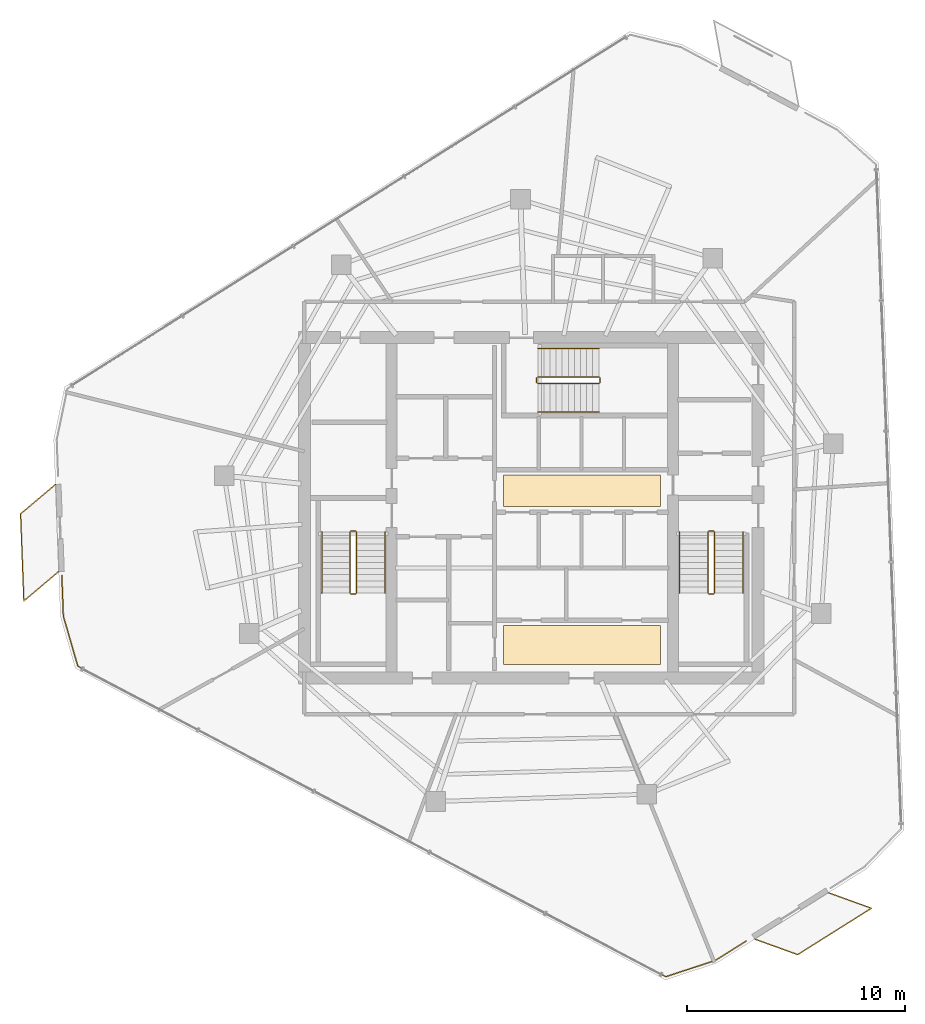
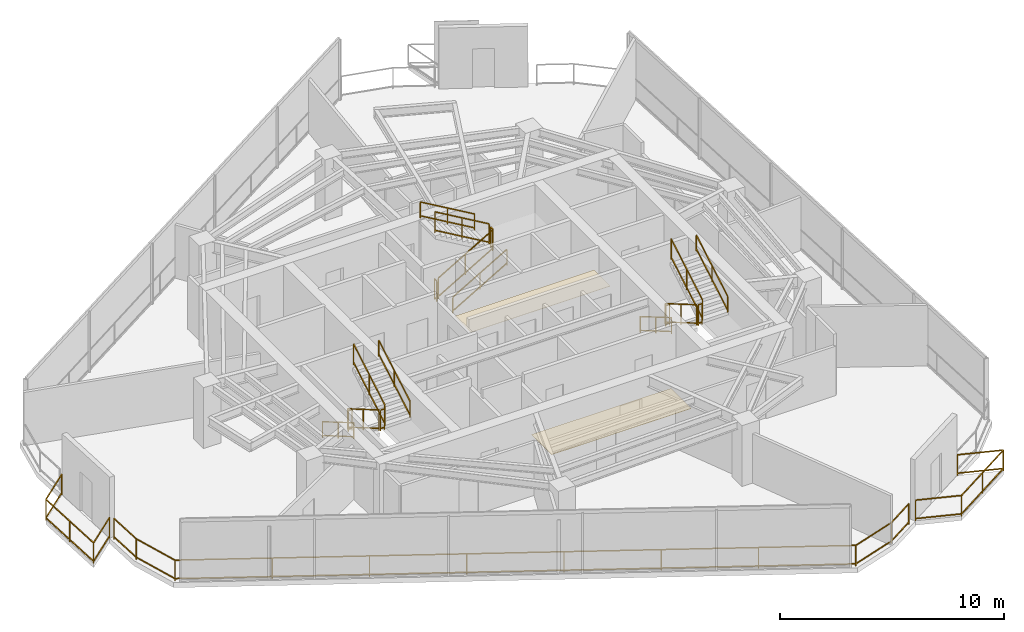
# One storey, part 18 of 19: 21 railings, 2 coverings.
"""IFC4 building model written with IfcOpenShell, lengths in metres."""

import ifcopenshell
import ifcopenshell.guid

model = None  # the IFC model being written
_history = None  # IfcOwnerHistory: only IFC2X3 demands one
_inside = {}  # id of a spatial element -> (the spatial element, [elements in it])
_under = {}  # id of a project, library or spatial element -> (it, [spatial elements below it])
_declared = {}  # id of a project -> (the project, [libraries it declares])
_typed = {}  # id of a type object -> (the type object, [elements of that type])
_made_of = {}  # id of a material, layer set ... -> (it, [elements and type objects made of it])


def new_model(schema):
    """Start an empty IFC model of exactly this schema.

    Asked for "IFC4X3", IfcOpenShell would pick the latest addendum, in which some entities
    have other attributes; the version numbers below select the first issue.
    IFC2X3 requires an IfcOwnerHistory on every rooted entity: one is made here for all.
    """
    global model, _history
    if schema == "IFC4X3":
        model = ifcopenshell.file(schema_version=(4, 3, 0, 0))
    else:
        model = ifcopenshell.file(schema=schema)
    _inside.clear()
    _under.clear()
    _declared.clear()
    _typed.clear()
    _made_of.clear()
    _history = None
    if model.schema == "IFC2X3":
        org = make("IfcOrganization", Name="unknown")
        user = make(
            "IfcPersonAndOrganization",
            ThePerson=make("IfcPerson", FamilyName="unknown"),
            TheOrganization=org,
        )
        app = make(
            "IfcApplication",
            ApplicationDeveloper=org,
            Version="unknown",
            ApplicationFullName="unknown",
            ApplicationIdentifier="unknown",
        )
        _history = make(
            "IfcOwnerHistory",
            OwningUser=user,
            OwningApplication=app,
            ChangeAction="ADDED",
            CreationDate=0,
        )
    return model


def make(cls, **values):
    """One entity of the class cls with the attributes given. An attribute that is None is left unset."""
    return model.create_entity(
        cls, **{name: value for name, value in values.items() if value is not None}
    )


def rooted(cls, **values):
    """An entity with a GlobalId (a new one), such as an element, a storey or a relation."""
    return make(cls, GlobalId=ifcopenshell.guid.new(), OwnerHistory=_history, **values)


def si_unit(unit_type, name, prefix=None):
    """IfcSIUnit, for example si_unit("LENGTHUNIT", "METRE", prefix="MILLI")."""
    return make("IfcSIUnit", UnitType=unit_type, Prefix=prefix, Name=name)


def assignment(units):
    """IfcUnitAssignment: the units of a project."""
    return None if units is None else make("IfcUnitAssignment", Units=units)


def point(xyz):
    """IfcCartesianPoint."""
    return None if xyz is None else make("IfcCartesianPoint", Coordinates=xyz)


def direction(xyz):
    """IfcDirection."""
    return None if xyz is None else make("IfcDirection", DirectionRatios=xyz)


def frame(location, z_axis=None, x_axis=None):
    """IfcAxis2Placement3D, a coordinate frame: its origin and axes. An axis left out is left unset."""
    return make(
        "IfcAxis2Placement3D",
        Location=point(location),
        Axis=direction(z_axis),
        RefDirection=direction(x_axis),
    )


def frame_2d(location, x_axis=None):
    """IfcAxis2Placement2D, a coordinate frame in the plane: its origin and x axis."""
    return make(
        "IfcAxis2Placement2D", Location=point(location), RefDirection=direction(x_axis)
    )


def origin():
    """The frame at (0, 0, 0) with its axes left unset."""
    return frame((0.0, 0.0, 0.0))


def origin_2d():
    """The frame at (0, 0) in the plane with its x axis left unset."""
    return frame_2d((0.0, 0.0))


def place(relative_to, where):
    """IfcLocalPlacement: puts the frame where relative to a parent placement (None: the world)."""
    return make(
        "IfcLocalPlacement", PlacementRelTo=relative_to, RelativePlacement=where
    )


def context(
    kind, dimensions, precision=None, world=None, true_north=None, identifier=None
):
    """IfcGeometricRepresentationContext, for example the 3D "Model" context."""
    return make(
        "IfcGeometricRepresentationContext",
        ContextIdentifier=identifier,
        ContextType=kind,
        CoordinateSpaceDimension=dimensions,
        Precision=precision,
        WorldCoordinateSystem=world,
        TrueNorth=true_north,
    )


def subcontext(parent, identifier, kind, view, scale=None):
    """IfcGeometricRepresentationSubContext, for example "Body" below "Model"."""
    return make(
        "IfcGeometricRepresentationSubContext",
        ContextIdentifier=identifier,
        ContextType=kind,
        ParentContext=parent,
        TargetScale=scale,
        TargetView=view,
    )


def project(units=None, contexts=None):
    """IfcProject with its units and contexts."""
    return rooted(
        "IfcProject",
        Name="project",
        RepresentationContexts=contexts,
        UnitsInContext=assignment(units),
    )


def spatial(cls, under=None, at=None, **own):
    """A site, building, storey or space (cls), placed at a placement, below another one or the project."""
    s = rooted(cls, ObjectPlacement=at, **own)
    if under is not None:
        _under.setdefault(under.id(), (under, []))[1].append(s)
    return s


def profile(cls, at=None, kind="AREA", **sizes):
    """A parametric profile (cls). Its sizes go by their IFC names, for example OverallWidth=200.0."""
    return make(cls, ProfileType=kind, Position=at, **sizes)


def rectangle(**sizes):
    """IfcRectangleProfileDef."""
    return profile("IfcRectangleProfileDef", **sizes)


def extrude(swept, where, along, depth):
    """IfcExtrudedAreaSolid: the profile swept, set in the frame where, extruded along a direction by depth."""
    return make(
        "IfcExtrudedAreaSolid",
        SweptArea=swept,
        Position=where,
        ExtrudedDirection=direction(along),
        Depth=depth,
    )


def shape(context_of_items, identifier, shape_type, items):
    """IfcShapeRepresentation: the items that make up one representation, for example the "Body"."""
    return make(
        "IfcShapeRepresentation",
        ContextOfItems=context_of_items,
        RepresentationIdentifier=identifier,
        RepresentationType=shape_type,
        Items=items,
    )


def material(Name=None, Category=None):
    """IfcMaterial."""
    return make("IfcMaterial", Name=Name, Category=Category)


def layer(
    of_material, thickness, ventilated=None, Name=None, Category=None, Priority=None
):
    """IfcMaterialLayer: one layer of a wall or slab, of a material (None: an air gap)."""
    return make(
        "IfcMaterialLayer",
        Material=of_material,
        LayerThickness=thickness,
        IsVentilated=ventilated,
        Name=Name,
        Category=Category,
        Priority=Priority,
    )


def layer_set(layers, Name=None):
    """IfcMaterialLayerSet."""
    return make("IfcMaterialLayerSet", MaterialLayers=layers, LayerSetName=Name)


def made_of(thing, what):
    """Note that an element or type object is made of a material, layer set ...; save() writes the relation."""
    if what is not None:
        _made_of.setdefault(what.id(), (what, []))[1].append(thing)
    return thing


def type_object(cls, material=None, **own):
    """A type object (cls), such as IfcWallType, which elements share."""
    return made_of(rooted(cls, **own), material)


def element(
    cls,
    number,
    at=None,
    inside=None,
    cuts=None,
    type_object=None,
    material=None,
    context=None,
    identifier="Body",
    shape_type=None,
    held_by="IfcProductDefinitionShape",
    body=None,
    shapes=None,
    **own,
):
    """One element of the class cls, such as IfcWall. Its Tag is "e" and its number.

    at: its placement. inside: the storey or other place that contains it. cuts: it is an
    opening in that element (IfcRelVoidsElement). A single representation is given by context,
    identifier, shape_type and body (its items); several are given by shapes. held_by: the class
    of the entity that holds the representations. save() writes the other relations.
    """
    e = rooted(cls, Tag="e%d" % number, ObjectPlacement=at, **own)
    if body is not None:
        shapes = [shape(context, identifier, shape_type, body)]
    if shapes is not None:
        e.Representation = make(held_by, Representations=shapes)
    if inside is not None:
        _inside.setdefault(inside.id(), (inside, []))[1].append(e)
    if cuts is not None:
        rooted(
            "IfcRelVoidsElement", RelatingBuildingElement=cuts, RelatedOpeningElement=e
        )
    if type_object is not None:
        _typed.setdefault(type_object.id(), (type_object, []))[1].append(e)
    return made_of(e, material)


def aggregate(whole, parts):
    """IfcRelAggregates: a whole, such as a stair, and the parts it consists of."""
    return rooted("IfcRelAggregates", RelatingObject=whole, RelatedObjects=parts)


def save(model, path):
    """Write the relations noted so far, then the file.

    IfcRelAggregates (storeys below a building ...), IfcRelContainedInSpatialStructure (elements
    in a storey), IfcRelDefinesByType, IfcRelAssociatesMaterial and IfcRelDeclares: one each for
    every whole, place, type object, material and project.
    """
    for whole, parts in _under.values():
        aggregate(whole, parts)
    for where, things in _inside.values():
        rooted(
            "IfcRelContainedInSpatialStructure",
            RelatedElements=things,
            RelatingStructure=where,
        )
    for kind, things in _typed.values():
        rooted("IfcRelDefinesByType", RelatedObjects=things, RelatingType=kind)
    for what, things in _made_of.values():
        rooted("IfcRelAssociatesMaterial", RelatedObjects=things, RelatingMaterial=what)
    for by, libraries in _declared.values():
        rooted("IfcRelDeclares", RelatingContext=by, RelatedDefinitions=libraries)
    model.write(path)


model = new_model("IFC4")

# Units and contexts
model_context = context("Model", 3, precision=1e-05, world=origin(), true_north=direction((0.0, 1.0)))
body_context = subcontext(model_context, "Body", "Model", "MODEL_VIEW")
ifc_project = project(units=[si_unit("LENGTHUNIT", "METRE"), si_unit("AREAUNIT", "SQUARE_METRE"), si_unit("VOLUMEUNIT", "CUBIC_METRE"), si_unit("PLANEANGLEUNIT", "RADIAN"), si_unit("MASSUNIT", "GRAM", prefix="KILO")], contexts=[model_context])

# Site, building, storey
site_placement = place(None, origin())
site = spatial("IfcSite", under=ifc_project, at=site_placement, CompositionType="ELEMENT")
building_placement = place(site_placement, origin())
building = spatial("IfcBuilding", under=site, at=building_placement, Name="Qarnah Convention Tower", CompositionType="ELEMENT")
storey_placement = place(building_placement, frame((0.0, 0.0, 187.800048828125)))
storey = spatial("IfcBuildingStorey", under=building, at=storey_placement, Name="L50", CompositionType="ELEMENT", Elevation=187.800048828125)

# Coverings
ifc_material_1 = material(Name="Mineral fibre acoustic ceiling")
ifc_layer_1 = layer(ifc_material_1, 0.02001953125)
ifc_layer_set_1 = layer_set([ifc_layer_1], Name="Mineral fibre acoustic ceiling")
covering_type_1 = type_object("IfcCoveringType", Name="COV-CEIL-20", PredefinedType="CEILING", material=ifc_layer_set_1)
covering_1_placement = place(storey_placement, frame((39.52001953125, 27.179931640625, 2.2900390625), z_axis=(0.0, 0.0, 1.0), x_axis=(1.0, 0.0, 0.0)))
element("IfcCovering", 1, at=covering_1_placement, inside=storey, type_object=covering_type_1, Name="L50 lift lobby acoustic ceiling", PredefinedType="CEILING", context=body_context, shape_type="SweptSolid", body=[
    extrude(rectangle(XDim=7.199951171875, YDim=1.449951171875, at=origin_2d()), origin(), (0.0, 0.0, 1.0), 0.02001953125),
])
ifc_material_2 = material(Name="Porcelain stone floor tile", Category="masonry")
ifc_layer_2 = layer(ifc_material_2, 0.02001953125)
ifc_layer_set_2 = layer_set([ifc_layer_2], Name="Porcelain stone floor tile")
covering_type_2 = type_object("IfcCoveringType", Name="COV-FLOOR-20", PredefinedType="FLOORING", material=ifc_layer_set_2)
covering_2_placement = place(storey_placement, frame((39.52001953125, 20.1201171875, 0.0), z_axis=(0.0, 0.0, 1.0), x_axis=(1.0, 0.0, 0.0)))
element("IfcCovering", 2, at=covering_2_placement, inside=storey, type_object=covering_type_2, Name="L50 lift lobby porcelain stone flooring", PredefinedType="FLOORING", context=body_context, shape_type="SweptSolid", body=[
    extrude(rectangle(XDim=7.199951171875, YDim=1.800048828125, at=origin_2d()), origin(), (0.0, 0.0, 1.0), 0.02001953125),
])

# Railings
ifc_material_3 = material(Name="Black anodised aluminium", Category="aluminium")
railing_type_1 = type_object("IfcRailingType", Name="RL-EXT-GUARD-1150", PredefinedType="GUARDRAIL", material=ifc_material_3)
railing_1_placement = place(storey_placement, frame((47.0458984375, 6.5458984375, 0.0)))
element("IfcRailing", 3, at=railing_1_placement, inside=storey, type_object=railing_type_1, Name="L50 slab-edge perimeter safety guard 03", PredefinedType="GUARDRAIL", context=body_context, shape_type="SweptSolid", body=[
    extrude(rectangle(XDim=0.048095703125, YDim=0.048095703125, at=origin_2d()), frame((0.0, 0.0, 1.1259765625), z_axis=(-0.846632764253, -0.532177566695, 0.0), x_axis=(0.532177566695, -0.846632764253, 0.0)), (0.0, 0.0, 1.0), 1.66064453125),
    extrude(rectangle(XDim=0.048095703125, YDim=0.048095703125, at=origin_2d()), frame((0.0, 0.0, 0.1201171875), z_axis=(-0.846632764253, -0.532177566695, 0.0), x_axis=(0.532177566695, -0.846632764253, 0.0)), (0.0, 0.0, 1.0), 1.66064453125),
    extrude(rectangle(XDim=0.048095703125, YDim=0.048095703125, at=origin_2d()), frame((-1.406005859375, -0.8837890625, 1.1259765625), z_axis=(-0.950164082983, -0.311750245244, 0.0), x_axis=(0.311750245244, -0.950164082983, 0.0)), (0.0, 0.0, 1.0), 2.39013671875),
    extrude(rectangle(XDim=0.048095703125, YDim=0.048095703125, at=origin_2d()), frame((-1.406005859375, -0.8837890625, 0.1201171875), z_axis=(-0.950164082983, -0.311750245244, 0.0), x_axis=(0.311750245244, -0.950164082983, 0.0)), (0.0, 0.0, 1.0), 2.39013671875),
    extrude(rectangle(XDim=0.048095703125, YDim=0.048095703125, at=origin_2d()), frame((-3.677001953125, -1.62890625, 1.1259765625), z_axis=(-0.88426842053, 0.466978972175, 0.0), x_axis=(-0.466978972175, -0.88426842053, 0.0)), (0.0, 0.0, 1.0), 30.472412109375),
    extrude(rectangle(XDim=0.048095703125, YDim=0.048095703125, at=origin_2d()), frame((-3.677001953125, -1.62890625, 0.1201171875), z_axis=(-0.88426842053, 0.466978972175, 0.0), x_axis=(-0.466978972175, -0.88426842053, 0.0)), (0.0, 0.0, 1.0), 30.472412109375),
    extrude(rectangle(XDim=0.048095703125, YDim=0.048095703125, at=origin_2d()), frame((-30.622802734375, 12.60107421875, 1.1259765625), z_axis=(-0.278335939898, 0.960483786725, 0.0), x_axis=(-0.960483786725, -0.278335939898, 0.0)), (0.0, 0.0, 1.0), 2.389404296875),
    extrude(rectangle(XDim=0.048095703125, YDim=0.048095703125, at=origin_2d()), frame((-30.622802734375, 12.60107421875, 0.1201171875), z_axis=(-0.278335939898, 0.960483786725, 0.0), x_axis=(-0.960483786725, -0.278335939898, 0.0)), (0.0, 0.0, 1.0), 2.389404296875),
    extrude(rectangle(XDim=0.048095703125, YDim=0.048095703125, at=origin_2d()), frame((-31.287841796875, 14.89599609375, 1.1259765625), z_axis=(-0.037402084678, 0.999300297239, 0.0), x_axis=(-0.999300297239, -0.037402084678, 0.0)), (0.0, 0.0, 1.0), 1.873291015625),
    extrude(rectangle(XDim=0.048095703125, YDim=0.048095703125, at=origin_2d()), frame((-31.287841796875, 14.89599609375, 0.1201171875), z_axis=(-0.037402084678, 0.999300297239, 0.0), x_axis=(-0.999300297239, -0.037402084678, 0.0)), (0.0, 0.0, 1.0), 1.873291015625),
    extrude(rectangle(XDim=0.0419921875, YDim=0.0419921875, at=origin_2d()), origin(), (0.0, 0.0, 1.0), 1.101806640625),
    extrude(rectangle(XDim=0.0419921875, YDim=0.0419921875, at=origin_2d()), frame((-1.406005859375, -0.8837890625, 0.0)), (0.0, 0.0, 1.0), 1.101806640625),
    extrude(rectangle(XDim=0.0419921875, YDim=0.0419921875, at=origin_2d()), frame((-3.677001953125, -1.62890625, 0.0)), (0.0, 0.0, 1.0), 1.101806640625),
    extrude(rectangle(XDim=0.0419921875, YDim=0.0419921875, at=origin_2d()), frame((-7.5263671875, 0.404052734375, 0.0)), (0.0, 0.0, 1.0), 1.101806640625),
    extrude(rectangle(XDim=0.0419921875, YDim=0.0419921875, at=origin_2d()), frame((-11.375732421875, 2.436767578125, 0.0)), (0.0, 0.0, 1.0), 1.101806640625),
    extrude(rectangle(XDim=0.0419921875, YDim=0.0419921875, at=origin_2d()), frame((-15.22509765625, 4.4697265625, 0.0)), (0.0, 0.0, 1.0), 1.101806640625),
    extrude(rectangle(XDim=0.0419921875, YDim=0.0419921875, at=origin_2d()), frame((-19.07470703125, 6.50244140625, 0.0)), (0.0, 0.0, 1.0), 1.101806640625),
    extrude(rectangle(XDim=0.0419921875, YDim=0.0419921875, at=origin_2d()), frame((-22.924072265625, 8.535400390625, 0.0)), (0.0, 0.0, 1.0), 1.101806640625),
    extrude(rectangle(XDim=0.0419921875, YDim=0.0419921875, at=origin_2d()), frame((-26.7734375, 10.568115234375, 0.0)), (0.0, 0.0, 1.0), 1.101806640625),
    extrude(rectangle(XDim=0.0419921875, YDim=0.0419921875, at=origin_2d()), frame((-30.622802734375, 12.60107421875, 0.0)), (0.0, 0.0, 1.0), 1.101806640625),
    extrude(rectangle(XDim=0.0419921875, YDim=0.0419921875, at=origin_2d()), frame((-31.287841796875, 14.89599609375, 0.0)), (0.0, 0.0, 1.0), 1.101806640625),
    extrude(rectangle(XDim=0.0419921875, YDim=0.0419921875, at=origin_2d()), frame((-31.35791015625, 16.76806640625, 0.0)), (0.0, 0.0, 1.0), 1.101806640625),
])
railing_2_placement = place(storey_placement, frame((15.5458984375, 23.48193359375, 0.0)))
element("IfcRailing", 4, at=railing_2_placement, inside=storey, type_object=railing_type_1, Name="L50 balcony safety guard BAL-L50-C2", PredefinedType="GUARDRAIL", context=body_context, shape_type="SweptSolid", body=[
    extrude(rectangle(XDim=0.048095703125, YDim=0.048095703125, at=origin_2d()), frame((0.0, 0.0, 1.1259765625), z_axis=(-0.76429687269, -0.644864551977, 0.0), x_axis=(0.644864551977, -0.76429687269, 0.0)), (0.0, 0.0, 1.0), 2.09326171875),
    extrude(rectangle(XDim=0.048095703125, YDim=0.048095703125, at=origin_2d()), frame((0.0, 0.0, 0.1201171875), z_axis=(-0.76429687269, -0.644864551977, 0.0), x_axis=(0.644864551977, -0.76429687269, 0.0)), (0.0, 0.0, 1.0), 2.09326171875),
    extrude(rectangle(XDim=0.048095703125, YDim=0.048095703125, at=origin_2d()), frame((-1.599853515625, -1.349853515625, 1.1259765625), z_axis=(-0.03778376373, 0.999285938657, 0.0), x_axis=(-0.999285938657, -0.03778376373, 0.0)), (0.0, 0.0, 1.0), 3.999755859375),
    extrude(rectangle(XDim=0.048095703125, YDim=0.048095703125, at=origin_2d()), frame((-1.599853515625, -1.349853515625, 0.1201171875), z_axis=(-0.03778376373, 0.999285938657, 0.0), x_axis=(-0.999285938657, -0.03778376373, 0.0)), (0.0, 0.0, 1.0), 3.999755859375),
    extrude(rectangle(XDim=0.048095703125, YDim=0.048095703125, at=origin_2d()), frame((-1.7509765625, 2.64697265625, 1.1259765625), z_axis=(0.764287891281, 0.64487519664, 0.0), x_axis=(-0.64487519664, 0.764287891281, 0.0)), (0.0, 0.0, 1.0), 2.093505859375),
    extrude(rectangle(XDim=0.048095703125, YDim=0.048095703125, at=origin_2d()), frame((-1.7509765625, 2.64697265625, 0.1201171875), z_axis=(0.764287891281, 0.64487519664, 0.0), x_axis=(-0.64487519664, 0.764287891281, 0.0)), (0.0, 0.0, 1.0), 2.093505859375),
    extrude(rectangle(XDim=0.0419921875, YDim=0.0419921875, at=origin_2d()), origin(), (0.0, 0.0, 1.0), 1.101806640625),
    extrude(rectangle(XDim=0.0419921875, YDim=0.0419921875, at=origin_2d()), frame((-1.599853515625, -1.349853515625, 0.0)), (0.0, 0.0, 1.0), 1.101806640625),
    extrude(rectangle(XDim=0.0419921875, YDim=0.0419921875, at=origin_2d()), frame((-1.67529296875, 0.6484375, 0.0)), (0.0, 0.0, 1.0), 1.101806640625),
    extrude(rectangle(XDim=0.0419921875, YDim=0.0419921875, at=origin_2d()), frame((-1.7509765625, 2.64697265625, 0.0)), (0.0, 0.0, 1.0), 1.101806640625),
    extrude(rectangle(XDim=0.0419921875, YDim=0.0419921875, at=origin_2d()), frame((-0.15087890625, 3.9970703125, 0.0)), (0.0, 0.0, 1.0), 1.101806640625),
])
railing_3_placement = place(storey_placement, frame((50.8291015625, 8.764892578125, 0.0)))
element("IfcRailing", 5, at=railing_3_placement, inside=storey, type_object=railing_type_1, Name="L50 balcony safety guard BAL-L50-C3", PredefinedType="GUARDRAIL", context=body_context, shape_type="SweptSolid", body=[
    extrude(rectangle(XDim=0.048095703125, YDim=0.048095703125, at=origin_2d()), frame((0.0, 0.0, 1.1259765625), z_axis=(0.940621119154, -0.339458259881, 0.0), x_axis=(0.339458259881, 0.940621119154, 0.0)), (0.0, 0.0, 1.0), 2.09423828125),
    extrude(rectangle(XDim=0.048095703125, YDim=0.048095703125, at=origin_2d()), frame((0.0, 0.0, 0.1201171875), z_axis=(0.940621119154, -0.339458259881, 0.0), x_axis=(0.339458259881, 0.940621119154, 0.0)), (0.0, 0.0, 1.0), 2.09423828125),
    extrude(rectangle(XDim=0.048095703125, YDim=0.048095703125, at=origin_2d()), frame((1.969970703125, -0.7109375, 1.1259765625), z_axis=(-0.846572109274, -0.532274049526, 0.0), x_axis=(0.532274049526, -0.846572109274, 0.0)), (0.0, 0.0, 1.0), 3.999755859375),
    extrude(rectangle(XDim=0.048095703125, YDim=0.048095703125, at=origin_2d()), frame((1.969970703125, -0.7109375, 0.1201171875), z_axis=(-0.846572109274, -0.532274049526, 0.0), x_axis=(0.532274049526, -0.846572109274, 0.0)), (0.0, 0.0, 1.0), 3.999755859375),
    extrude(rectangle(XDim=0.048095703125, YDim=0.048095703125, at=origin_2d()), frame((-1.416015625, -2.83984375, 1.1259765625), z_axis=(-0.940621119154, 0.339458259881, 0.0), x_axis=(-0.339458259881, -0.940621119154, 0.0)), (0.0, 0.0, 1.0), 2.09423828125),
    extrude(rectangle(XDim=0.048095703125, YDim=0.048095703125, at=origin_2d()), frame((-1.416015625, -2.83984375, 0.1201171875), z_axis=(-0.940621119154, 0.339458259881, 0.0), x_axis=(-0.339458259881, -0.940621119154, 0.0)), (0.0, 0.0, 1.0), 2.09423828125),
    extrude(rectangle(XDim=0.0419921875, YDim=0.0419921875, at=origin_2d()), origin(), (0.0, 0.0, 1.0), 1.101806640625),
    extrude(rectangle(XDim=0.0419921875, YDim=0.0419921875, at=origin_2d()), frame((1.969970703125, -0.7109375, 0.0)), (0.0, 0.0, 1.0), 1.101806640625),
    extrude(rectangle(XDim=0.0419921875, YDim=0.0419921875, at=origin_2d()), frame((0.27685546875, -1.775390625, 0.0)), (0.0, 0.0, 1.0), 1.101806640625),
    extrude(rectangle(XDim=0.0419921875, YDim=0.0419921875, at=origin_2d()), frame((-1.416015625, -2.83984375, 0.0)), (0.0, 0.0, 1.0), 1.101806640625),
    extrude(rectangle(XDim=0.0419921875, YDim=0.0419921875, at=origin_2d()), frame((-3.385986328125, -2.12890625, 0.0)), (0.0, 0.0, 1.0), 1.101806640625),
])
ifc_material_4 = material(Name="Structural steel S355JR", Category="steel")
railing_type_2 = type_object("IfcRailingType", Name="RL-STAIR-GUARD-1150", PredefinedType="GUARDRAIL", material=ifc_material_4)
railing_4_placement = place(storey_placement, frame((28.89990234375, 25.300048828125, 0.16357421875)))
element("IfcRailing", 6, at=railing_4_placement, inside=storey, type_object=railing_type_2, Name="L50 ST-1 stair guard 1", PredefinedType="GUARDRAIL", context=body_context, shape_type="SweptSolid", body=[
    extrude(rectangle(XDim=0.048095703125, YDim=0.048095703125, at=origin_2d()), frame((0.0, 0.0, 1.1259765625), z_axis=(0.0, -0.863360870873, 0.504586966384), x_axis=(1.0, 0.0, 0.0)), (0.0, 0.0, 1.0), 3.2431640625),
    extrude(rectangle(XDim=0.048095703125, YDim=0.048095703125, at=origin_2d()), frame((0.0, 0.0, 0.1201171875), z_axis=(0.0, -0.863360870873, 0.504586966384), x_axis=(1.0, 0.0, 0.0)), (0.0, 0.0, 1.0), 3.2431640625),
    extrude(rectangle(XDim=0.0419921875, YDim=0.0419921875, at=origin_2d()), origin(), (0.0, 0.0, 1.0), 1.101806640625),
    extrude(rectangle(XDim=0.0419921875, YDim=0.0419921875, at=origin_2d()), frame((0.0, -1.39990234375, 0.818359375)), (0.0, 0.0, 1.0), 1.101806640625),
    extrude(rectangle(XDim=0.0419921875, YDim=0.0419921875, at=origin_2d()), frame((0.0, -2.800048828125, 1.636474609375)), (0.0, 0.0, 1.0), 1.101806640625),
])
railing_5_placement = place(storey_placement, frame((28.949951171875, 22.449951171875, 1.800048828125)))
element("IfcRailing", 7, at=railing_5_placement, inside=storey, type_object=railing_type_2, Name="L50 ST-1 stair guard 2", PredefinedType="GUARDRAIL", context=body_context, shape_type="SweptSolid", body=[
    extrude(rectangle(XDim=0.048095703125, YDim=0.048095703125, at=origin_2d()), frame((0.0, 0.0, 1.1259765625), z_axis=(1.0, 0.0, 0.0), x_axis=(0.0, 1.0, 0.0)), (0.0, 0.0, 1.0), 0.199951171875),
    extrude(rectangle(XDim=0.048095703125, YDim=0.048095703125, at=origin_2d()), frame((0.0, 0.0, 0.1201171875), z_axis=(1.0, 0.0, 0.0), x_axis=(0.0, 1.0, 0.0)), (0.0, 0.0, 1.0), 0.199951171875),
    extrude(rectangle(XDim=0.0419921875, YDim=0.0419921875, at=origin_2d()), origin(), (0.0, 0.0, 1.0), 1.101806640625),
    extrude(rectangle(XDim=0.0419921875, YDim=0.0419921875, at=origin_2d()), frame((0.199951171875, 0.0, 0.0)), (0.0, 0.0, 1.0), 1.101806640625),
])
railing_6_placement = place(storey_placement, frame((29.199951171875, 22.5, 1.963623046875)))
element("IfcRailing", 8, at=railing_6_placement, inside=storey, type_object=railing_type_2, Name="L50 ST-1 stair guard 3", PredefinedType="GUARDRAIL", context=body_context, shape_type="SweptSolid", body=[
    extrude(rectangle(XDim=0.048095703125, YDim=0.048095703125, at=origin_2d()), frame((0.0, 0.0, 1.1259765625), z_axis=(0.0, 0.863393664356, 0.504530851732), x_axis=(-1.0, 0.0, 0.0)), (0.0, 0.0, 1.0), 3.2431640625),
    extrude(rectangle(XDim=0.048095703125, YDim=0.048095703125, at=origin_2d()), frame((0.0, 0.0, 0.1201171875), z_axis=(0.0, 0.863393664356, 0.504530851732), x_axis=(-1.0, 0.0, 0.0)), (0.0, 0.0, 1.0), 3.2431640625),
    extrude(rectangle(XDim=0.0419921875, YDim=0.0419921875, at=origin_2d()), origin(), (0.0, 0.0, 1.0), 1.101806640625),
    extrude(rectangle(XDim=0.0419921875, YDim=0.0419921875, at=origin_2d()), frame((0.0, 1.39990234375, 0.818115234375)), (0.0, 0.0, 1.0), 1.101806640625),
    extrude(rectangle(XDim=0.0419921875, YDim=0.0419921875, at=origin_2d()), frame((0.0, 2.800048828125, 1.63623046875)), (0.0, 0.0, 1.0), 1.101806640625),
])
railing_7_placement = place(storey_placement, frame((28.949951171875, 25.35009765625, 0.0)))
element("IfcRailing", 9, at=railing_7_placement, inside=storey, type_object=railing_type_2, Name="L50 ST-1 stair guard 4", PredefinedType="GUARDRAIL", context=body_context, shape_type="SweptSolid", body=[
    extrude(rectangle(XDim=0.048095703125, YDim=0.048095703125, at=origin_2d()), frame((0.0, 0.0, 1.1259765625), z_axis=(1.0, 0.0, 0.0), x_axis=(0.0, 1.0, 0.0)), (0.0, 0.0, 1.0), 0.199951171875),
    extrude(rectangle(XDim=0.048095703125, YDim=0.048095703125, at=origin_2d()), frame((0.0, 0.0, 0.1201171875), z_axis=(1.0, 0.0, 0.0), x_axis=(0.0, 1.0, 0.0)), (0.0, 0.0, 1.0), 0.199951171875),
    extrude(rectangle(XDim=0.0419921875, YDim=0.0419921875, at=origin_2d()), origin(), (0.0, 0.0, 1.0), 1.101806640625),
    extrude(rectangle(XDim=0.0419921875, YDim=0.0419921875, at=origin_2d()), frame((0.199951171875, 0.0, 0.0)), (0.0, 0.0, 1.0), 1.101806640625),
])
railing_8_placement = place(storey_placement, frame((45.300048828125, 25.300048828125, 0.16357421875)))
element("IfcRailing", 10, at=railing_8_placement, inside=storey, type_object=railing_type_2, Name="L50 ST-2 stair guard 1", PredefinedType="GUARDRAIL", context=body_context, shape_type="SweptSolid", body=[
    extrude(rectangle(XDim=0.048095703125, YDim=0.048095703125, at=origin_2d()), frame((0.0, 0.0, 1.1259765625), z_axis=(0.0, -0.863360870873, 0.504586966384), x_axis=(1.0, 0.0, 0.0)), (0.0, 0.0, 1.0), 3.2431640625),
    extrude(rectangle(XDim=0.048095703125, YDim=0.048095703125, at=origin_2d()), frame((0.0, 0.0, 0.1201171875), z_axis=(0.0, -0.863360870873, 0.504586966384), x_axis=(1.0, 0.0, 0.0)), (0.0, 0.0, 1.0), 3.2431640625),
    extrude(rectangle(XDim=0.0419921875, YDim=0.0419921875, at=origin_2d()), origin(), (0.0, 0.0, 1.0), 1.101806640625),
    extrude(rectangle(XDim=0.0419921875, YDim=0.0419921875, at=origin_2d()), frame((0.0, -1.39990234375, 0.818359375)), (0.0, 0.0, 1.0), 1.101806640625),
    extrude(rectangle(XDim=0.0419921875, YDim=0.0419921875, at=origin_2d()), frame((0.0, -2.800048828125, 1.636474609375)), (0.0, 0.0, 1.0), 1.101806640625),
])
railing_9_placement = place(storey_placement, frame((45.35009765625, 22.449951171875, 1.800048828125)))
element("IfcRailing", 11, at=railing_9_placement, inside=storey, type_object=railing_type_2, Name="L50 ST-2 stair guard 2", PredefinedType="GUARDRAIL", context=body_context, shape_type="SweptSolid", body=[
    extrude(rectangle(XDim=0.048095703125, YDim=0.048095703125, at=origin_2d()), frame((0.0, 0.0, 1.1259765625), z_axis=(1.0, 0.0, 0.0), x_axis=(0.0, 1.0, 0.0)), (0.0, 0.0, 1.0), 0.199951171875),
    extrude(rectangle(XDim=0.048095703125, YDim=0.048095703125, at=origin_2d()), frame((0.0, 0.0, 0.1201171875), z_axis=(1.0, 0.0, 0.0), x_axis=(0.0, 1.0, 0.0)), (0.0, 0.0, 1.0), 0.199951171875),
    extrude(rectangle(XDim=0.0419921875, YDim=0.0419921875, at=origin_2d()), origin(), (0.0, 0.0, 1.0), 1.101806640625),
    extrude(rectangle(XDim=0.0419921875, YDim=0.0419921875, at=origin_2d()), frame((0.199951171875, 0.0, 0.0)), (0.0, 0.0, 1.0), 1.101806640625),
])
railing_10_placement = place(storey_placement, frame((45.60009765625, 22.5, 1.963623046875)))
element("IfcRailing", 12, at=railing_10_placement, inside=storey, type_object=railing_type_2, Name="L50 ST-2 stair guard 3", PredefinedType="GUARDRAIL", context=body_context, shape_type="SweptSolid", body=[
    extrude(rectangle(XDim=0.048095703125, YDim=0.048095703125, at=origin_2d()), frame((0.0, 0.0, 1.1259765625), z_axis=(0.0, 0.863393664356, 0.504530851732), x_axis=(-1.0, 0.0, 0.0)), (0.0, 0.0, 1.0), 3.2431640625),
    extrude(rectangle(XDim=0.048095703125, YDim=0.048095703125, at=origin_2d()), frame((0.0, 0.0, 0.1201171875), z_axis=(0.0, 0.863393664356, 0.504530851732), x_axis=(-1.0, 0.0, 0.0)), (0.0, 0.0, 1.0), 3.2431640625),
    extrude(rectangle(XDim=0.0419921875, YDim=0.0419921875, at=origin_2d()), origin(), (0.0, 0.0, 1.0), 1.101806640625),
    extrude(rectangle(XDim=0.0419921875, YDim=0.0419921875, at=origin_2d()), frame((0.0, 1.39990234375, 0.818115234375)), (0.0, 0.0, 1.0), 1.101806640625),
    extrude(rectangle(XDim=0.0419921875, YDim=0.0419921875, at=origin_2d()), frame((0.0, 2.800048828125, 1.63623046875)), (0.0, 0.0, 1.0), 1.101806640625),
])
railing_11_placement = place(storey_placement, frame((45.35009765625, 25.35009765625, 0.0)))
element("IfcRailing", 13, at=railing_11_placement, inside=storey, type_object=railing_type_2, Name="L50 ST-2 stair guard 4", PredefinedType="GUARDRAIL", context=body_context, shape_type="SweptSolid", body=[
    extrude(rectangle(XDim=0.048095703125, YDim=0.048095703125, at=origin_2d()), frame((0.0, 0.0, 1.1259765625), z_axis=(1.0, 0.0, 0.0), x_axis=(0.0, 1.0, 0.0)), (0.0, 0.0, 1.0), 0.199951171875),
    extrude(rectangle(XDim=0.048095703125, YDim=0.048095703125, at=origin_2d()), frame((0.0, 0.0, 0.1201171875), z_axis=(1.0, 0.0, 0.0), x_axis=(0.0, 1.0, 0.0)), (0.0, 0.0, 1.0), 0.199951171875),
    extrude(rectangle(XDim=0.0419921875, YDim=0.0419921875, at=origin_2d()), origin(), (0.0, 0.0, 1.0), 1.101806640625),
    extrude(rectangle(XDim=0.0419921875, YDim=0.0419921875, at=origin_2d()), frame((0.199951171875, 0.0, 0.0)), (0.0, 0.0, 1.0), 1.101806640625),
])
railing_12_placement = place(storey_placement, frame((37.5, 32.10009765625, 0.16357421875)))
element("IfcRailing", 14, at=railing_12_placement, inside=storey, type_object=railing_type_2, Name="L50 ST-3 stair guard 1", PredefinedType="GUARDRAIL", context=body_context, shape_type="SweptSolid", body=[
    extrude(rectangle(XDim=0.048095703125, YDim=0.048095703125, at=origin_2d()), frame((0.0, 0.0, 1.1259765625), z_axis=(0.863360870873, 0.0, 0.504586966384), x_axis=(0.0, 1.0, 0.0)), (0.0, 0.0, 1.0), 3.2431640625),
    extrude(rectangle(XDim=0.048095703125, YDim=0.048095703125, at=origin_2d()), frame((0.0, 0.0, 0.1201171875), z_axis=(0.863360870873, 0.0, 0.504586966384), x_axis=(0.0, 1.0, 0.0)), (0.0, 0.0, 1.0), 3.2431640625),
    extrude(rectangle(XDim=0.0419921875, YDim=0.0419921875, at=origin_2d()), origin(), (0.0, 0.0, 1.0), 1.101806640625),
    extrude(rectangle(XDim=0.0419921875, YDim=0.0419921875, at=origin_2d()), frame((1.39990234375, 0.0, 0.818359375)), (0.0, 0.0, 1.0), 1.101806640625),
    extrude(rectangle(XDim=0.0419921875, YDim=0.0419921875, at=origin_2d()), frame((2.800048828125, 0.0, 1.636474609375)), (0.0, 0.0, 1.0), 1.101806640625),
])
railing_13_placement = place(storey_placement, frame((40.35009765625, 32.14990234375, 1.800048828125)))
element("IfcRailing", 15, at=railing_13_placement, inside=storey, type_object=railing_type_2, Name="L50 ST-3 stair guard 2", PredefinedType="GUARDRAIL", context=body_context, shape_type="SweptSolid", body=[
    extrude(rectangle(XDim=0.048095703125, YDim=0.048095703125, at=origin_2d()), frame((0.0, 0.0, 1.1259765625), z_axis=(0.0, 1.0, 0.0), x_axis=(-1.0, 0.0, 0.0)), (0.0, 0.0, 1.0), 0.2001953125),
    extrude(rectangle(XDim=0.048095703125, YDim=0.048095703125, at=origin_2d()), frame((0.0, 0.0, 0.1201171875), z_axis=(0.0, 1.0, 0.0), x_axis=(-1.0, 0.0, 0.0)), (0.0, 0.0, 1.0), 0.2001953125),
    extrude(rectangle(XDim=0.0419921875, YDim=0.0419921875, at=origin_2d()), origin(), (0.0, 0.0, 1.0), 1.101806640625),
    extrude(rectangle(XDim=0.0419921875, YDim=0.0419921875, at=origin_2d()), frame((0.0, 0.2001953125, 0.0)), (0.0, 0.0, 1.0), 1.101806640625),
])
railing_14_placement = place(storey_placement, frame((40.300048828125, 32.39990234375, 1.963623046875)))
element("IfcRailing", 16, at=railing_14_placement, inside=storey, type_object=railing_type_2, Name="L50 ST-3 stair guard 3", PredefinedType="GUARDRAIL", context=body_context, shape_type="SweptSolid", body=[
    extrude(rectangle(XDim=0.048095703125, YDim=0.048095703125, at=origin_2d()), frame((0.0, 0.0, 1.1259765625), z_axis=(-0.863393664356, 0.0, 0.504530851732), x_axis=(0.0, -1.0, 0.0)), (0.0, 0.0, 1.0), 3.2431640625),
    extrude(rectangle(XDim=0.048095703125, YDim=0.048095703125, at=origin_2d()), frame((0.0, 0.0, 0.1201171875), z_axis=(-0.863393664356, 0.0, 0.504530851732), x_axis=(0.0, -1.0, 0.0)), (0.0, 0.0, 1.0), 3.2431640625),
    extrude(rectangle(XDim=0.0419921875, YDim=0.0419921875, at=origin_2d()), origin(), (0.0, 0.0, 1.0), 1.101806640625),
    extrude(rectangle(XDim=0.0419921875, YDim=0.0419921875, at=origin_2d()), frame((-1.39990234375, 0.0, 0.818115234375)), (0.0, 0.0, 1.0), 1.101806640625),
    extrude(rectangle(XDim=0.0419921875, YDim=0.0419921875, at=origin_2d()), frame((-2.800048828125, 0.0, 1.63623046875)), (0.0, 0.0, 1.0), 1.101806640625),
])
railing_15_placement = place(storey_placement, frame((37.449951171875, 32.14990234375, 0.0)))
element("IfcRailing", 17, at=railing_15_placement, inside=storey, type_object=railing_type_2, Name="L50 ST-3 stair guard 4", PredefinedType="GUARDRAIL", context=body_context, shape_type="SweptSolid", body=[
    extrude(rectangle(XDim=0.048095703125, YDim=0.048095703125, at=origin_2d()), frame((0.0, 0.0, 1.1259765625), z_axis=(0.0, 1.0, 0.0), x_axis=(-1.0, 0.0, 0.0)), (0.0, 0.0, 1.0), 0.2001953125),
    extrude(rectangle(XDim=0.048095703125, YDim=0.048095703125, at=origin_2d()), frame((0.0, 0.0, 0.1201171875), z_axis=(0.0, 1.0, 0.0), x_axis=(-1.0, 0.0, 0.0)), (0.0, 0.0, 1.0), 0.2001953125),
    extrude(rectangle(XDim=0.0419921875, YDim=0.0419921875, at=origin_2d()), origin(), (0.0, 0.0, 1.0), 1.101806640625),
    extrude(rectangle(XDim=0.0419921875, YDim=0.0419921875, at=origin_2d()), frame((0.0, 0.2001953125, 0.0)), (0.0, 0.0, 1.0), 1.101806640625),
])
railing_type_3 = type_object("IfcRailingType", Name="RL-STAIR-HAND-900", PredefinedType="HANDRAIL", material=ifc_material_4)
railing_16_placement = place(storey_placement, frame((27.60009765625, 25.300048828125, 0.16357421875)))
element("IfcRailing", 18, at=railing_16_placement, inside=storey, type_object=railing_type_3, Name="L50 ST-1 stair handrail 1", PredefinedType="HANDRAIL", context=body_context, shape_type="SweptSolid", body=[
    extrude(rectangle(XDim=0.048095703125, YDim=0.048095703125, at=origin_2d()), frame((0.0, 0.0, 0.8759765625), z_axis=(0.0, -0.863360870873, 0.504586966384), x_axis=(1.0, 0.0, 0.0)), (0.0, 0.0, 1.0), 3.2431640625),
    extrude(rectangle(XDim=0.048095703125, YDim=0.048095703125, at=origin_2d()), frame((0.0, 0.0, 0.1201171875), z_axis=(0.0, -0.863360870873, 0.504586966384), x_axis=(1.0, 0.0, 0.0)), (0.0, 0.0, 1.0), 3.2431640625),
    extrude(rectangle(XDim=0.0419921875, YDim=0.0419921875, at=origin_2d()), origin(), (0.0, 0.0, 1.0), 0.851806640625),
    extrude(rectangle(XDim=0.0419921875, YDim=0.0419921875, at=origin_2d()), frame((0.0, -1.39990234375, 0.818359375)), (0.0, 0.0, 1.0), 0.851806640625),
    extrude(rectangle(XDim=0.0419921875, YDim=0.0419921875, at=origin_2d()), frame((0.0, -2.800048828125, 1.636474609375)), (0.0, 0.0, 1.0), 0.851806640625),
])
railing_17_placement = place(storey_placement, frame((30.5, 22.5, 1.963623046875)))
element("IfcRailing", 19, at=railing_17_placement, inside=storey, type_object=railing_type_3, Name="L50 ST-1 stair handrail 2", PredefinedType="HANDRAIL", context=body_context, shape_type="SweptSolid", body=[
    extrude(rectangle(XDim=0.048095703125, YDim=0.048095703125, at=origin_2d()), frame((0.0, 0.0, 0.8759765625), z_axis=(0.0, 0.863393664356, 0.504530851732), x_axis=(-1.0, 0.0, 0.0)), (0.0, 0.0, 1.0), 3.2431640625),
    extrude(rectangle(XDim=0.048095703125, YDim=0.048095703125, at=origin_2d()), frame((0.0, 0.0, 0.1201171875), z_axis=(0.0, 0.863393664356, 0.504530851732), x_axis=(-1.0, 0.0, 0.0)), (0.0, 0.0, 1.0), 3.2431640625),
    extrude(rectangle(XDim=0.0419921875, YDim=0.0419921875, at=origin_2d()), origin(), (0.0, 0.0, 1.0), 0.851806640625),
    extrude(rectangle(XDim=0.0419921875, YDim=0.0419921875, at=origin_2d()), frame((0.0, 1.39990234375, 0.818115234375)), (0.0, 0.0, 1.0), 0.851806640625),
    extrude(rectangle(XDim=0.0419921875, YDim=0.0419921875, at=origin_2d()), frame((0.0, 2.800048828125, 1.63623046875)), (0.0, 0.0, 1.0), 0.851806640625),
])
railing_18_placement = place(storey_placement, frame((44.0, 25.300048828125, 0.16357421875)))
element("IfcRailing", 20, at=railing_18_placement, inside=storey, type_object=railing_type_3, Name="L50 ST-2 stair handrail 1", PredefinedType="HANDRAIL", context=body_context, shape_type="SweptSolid", body=[
    extrude(rectangle(XDim=0.048095703125, YDim=0.048095703125, at=origin_2d()), frame((0.0, 0.0, 0.8759765625), z_axis=(0.0, -0.863360870873, 0.504586966384), x_axis=(1.0, 0.0, 0.0)), (0.0, 0.0, 1.0), 3.2431640625),
    extrude(rectangle(XDim=0.048095703125, YDim=0.048095703125, at=origin_2d()), frame((0.0, 0.0, 0.1201171875), z_axis=(0.0, -0.863360870873, 0.504586966384), x_axis=(1.0, 0.0, 0.0)), (0.0, 0.0, 1.0), 3.2431640625),
    extrude(rectangle(XDim=0.0419921875, YDim=0.0419921875, at=origin_2d()), origin(), (0.0, 0.0, 1.0), 0.851806640625),
    extrude(rectangle(XDim=0.0419921875, YDim=0.0419921875, at=origin_2d()), frame((0.0, -1.39990234375, 0.818359375)), (0.0, 0.0, 1.0), 0.851806640625),
    extrude(rectangle(XDim=0.0419921875, YDim=0.0419921875, at=origin_2d()), frame((0.0, -2.800048828125, 1.636474609375)), (0.0, 0.0, 1.0), 0.851806640625),
])
railing_19_placement = place(storey_placement, frame((46.89990234375, 22.5, 1.963623046875)))
element("IfcRailing", 21, at=railing_19_placement, inside=storey, type_object=railing_type_3, Name="L50 ST-2 stair handrail 2", PredefinedType="HANDRAIL", context=body_context, shape_type="SweptSolid", body=[
    extrude(rectangle(XDim=0.048095703125, YDim=0.048095703125, at=origin_2d()), frame((0.0, 0.0, 0.8759765625), z_axis=(0.0, 0.863393664356, 0.504530851732), x_axis=(-1.0, 0.0, 0.0)), (0.0, 0.0, 1.0), 3.2431640625),
    extrude(rectangle(XDim=0.048095703125, YDim=0.048095703125, at=origin_2d()), frame((0.0, 0.0, 0.1201171875), z_axis=(0.0, 0.863393664356, 0.504530851732), x_axis=(-1.0, 0.0, 0.0)), (0.0, 0.0, 1.0), 3.2431640625),
    extrude(rectangle(XDim=0.0419921875, YDim=0.0419921875, at=origin_2d()), origin(), (0.0, 0.0, 1.0), 0.851806640625),
    extrude(rectangle(XDim=0.0419921875, YDim=0.0419921875, at=origin_2d()), frame((0.0, 1.39990234375, 0.818115234375)), (0.0, 0.0, 1.0), 0.851806640625),
    extrude(rectangle(XDim=0.0419921875, YDim=0.0419921875, at=origin_2d()), frame((0.0, 2.800048828125, 1.63623046875)), (0.0, 0.0, 1.0), 0.851806640625),
])
railing_20_placement = place(storey_placement, frame((37.5, 30.800048828125, 0.16357421875)))
element("IfcRailing", 22, at=railing_20_placement, inside=storey, type_object=railing_type_3, Name="L50 ST-3 stair handrail 1", PredefinedType="HANDRAIL", context=body_context, shape_type="SweptSolid", body=[
    extrude(rectangle(XDim=0.048095703125, YDim=0.048095703125, at=origin_2d()), frame((0.0, 0.0, 0.8759765625), z_axis=(0.863360870873, 0.0, 0.504586966384), x_axis=(0.0, 1.0, 0.0)), (0.0, 0.0, 1.0), 3.2431640625),
    extrude(rectangle(XDim=0.048095703125, YDim=0.048095703125, at=origin_2d()), frame((0.0, 0.0, 0.1201171875), z_axis=(0.863360870873, 0.0, 0.504586966384), x_axis=(0.0, 1.0, 0.0)), (0.0, 0.0, 1.0), 3.2431640625),
    extrude(rectangle(XDim=0.0419921875, YDim=0.0419921875, at=origin_2d()), origin(), (0.0, 0.0, 1.0), 0.851806640625),
    extrude(rectangle(XDim=0.0419921875, YDim=0.0419921875, at=origin_2d()), frame((1.39990234375, 0.0, 0.818359375)), (0.0, 0.0, 1.0), 0.851806640625),
    extrude(rectangle(XDim=0.0419921875, YDim=0.0419921875, at=origin_2d()), frame((2.800048828125, 0.0, 1.636474609375)), (0.0, 0.0, 1.0), 0.851806640625),
])
railing_21_placement = place(storey_placement, frame((40.300048828125, 33.699951171875, 1.963623046875)))
element("IfcRailing", 23, at=railing_21_placement, inside=storey, type_object=railing_type_3, Name="L50 ST-3 stair handrail 2", PredefinedType="HANDRAIL", context=body_context, shape_type="SweptSolid", body=[
    extrude(rectangle(XDim=0.048095703125, YDim=0.048095703125, at=origin_2d()), frame((0.0, 0.0, 0.8759765625), z_axis=(-0.863393664356, 0.0, 0.504530851732), x_axis=(0.0, -1.0, 0.0)), (0.0, 0.0, 1.0), 3.2431640625),
    extrude(rectangle(XDim=0.048095703125, YDim=0.048095703125, at=origin_2d()), frame((0.0, 0.0, 0.1201171875), z_axis=(-0.863393664356, 0.0, 0.504530851732), x_axis=(0.0, -1.0, 0.0)), (0.0, 0.0, 1.0), 3.2431640625),
    extrude(rectangle(XDim=0.0419921875, YDim=0.0419921875, at=origin_2d()), origin(), (0.0, 0.0, 1.0), 0.851806640625),
    extrude(rectangle(XDim=0.0419921875, YDim=0.0419921875, at=origin_2d()), frame((-1.39990234375, 0.0, 0.818115234375)), (0.0, 0.0, 1.0), 0.851806640625),
    extrude(rectangle(XDim=0.0419921875, YDim=0.0419921875, at=origin_2d()), frame((-2.800048828125, 0.0, 1.63623046875)), (0.0, 0.0, 1.0), 0.851806640625),
])

save(model, "model.ifc")
